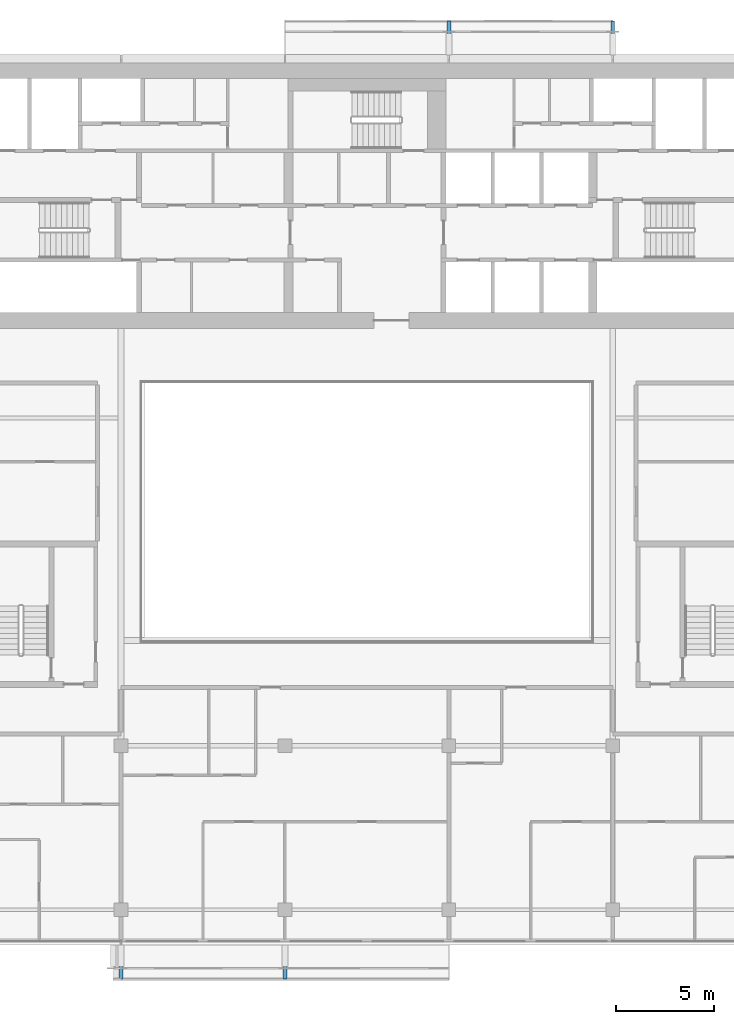
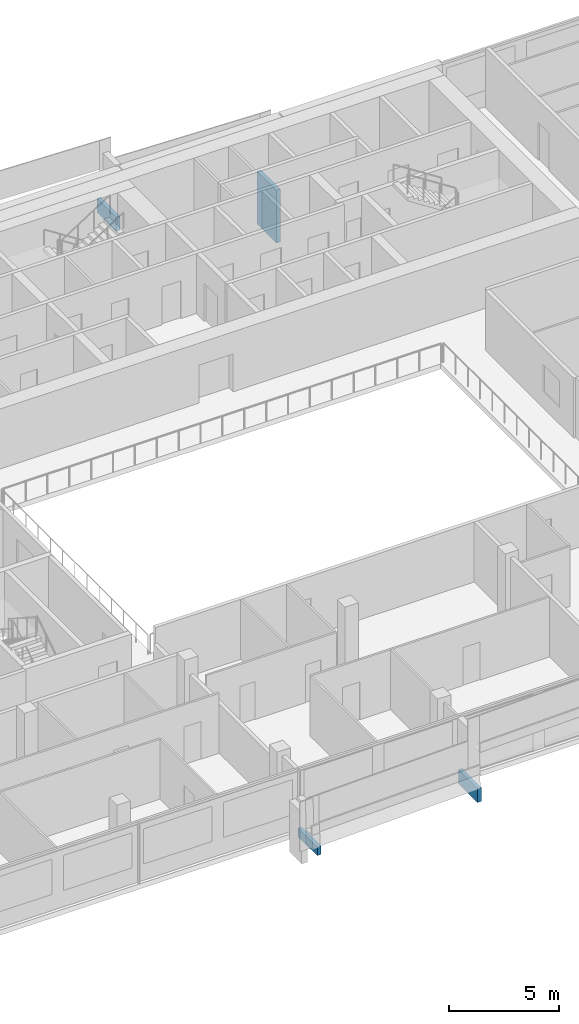
# One storey, part 25 of 27: 4 discrete accessories.
"""IFC4 building model written with IfcOpenShell, lengths in metres."""

from ifc_helpers import new_model, si_unit, direction, frame, origin, origin_2d, place, context, subcontext, project, spatial, rectangle, extrude, element, save


model = new_model("IFC4")

# Units and contexts
model_context = context("Model", 3, precision=1e-05, world=origin(), true_north=direction((0.0, 1.0)))
body_context = subcontext(model_context, "Body", "Model", "MODEL_VIEW")
ifc_project = project(units=[si_unit("LENGTHUNIT", "METRE"), si_unit("AREAUNIT", "SQUARE_METRE"), si_unit("VOLUMEUNIT", "CUBIC_METRE"), si_unit("PLANEANGLEUNIT", "RADIAN"), si_unit("MASSUNIT", "GRAM", prefix="KILO")], contexts=[model_context])

# Site, building, storey
site_placement = place(None, origin())
site = spatial("IfcSite", under=ifc_project, at=site_placement, CompositionType="ELEMENT")
building_placement = place(site_placement, origin())
building = spatial("IfcBuilding", under=site, at=building_placement, Name="Saffron Gate Tower", CompositionType="ELEMENT")
storey_placement = place(building_placement, frame((0.0, 0.0, 172.64990234375)))
storey = spatial("IfcBuildingStorey", under=building, at=storey_placement, Name="L42", CompositionType="ELEMENT", Elevation=172.64990234375)

# Discrete accessories
discrete_accessory_1_placement = place(storey_placement, frame((100.199951171875, 76.47509765625, -3.8798828125), z_axis=(0.0, 0.0, 1.0), x_axis=(-1.0, 0.0, 0.0)))
element("IfcDiscreteAccessory", 1, at=discrete_accessory_1_placement, inside=storey, Name="LEDGE rib", PredefinedType="BRACKET", context=body_context, shape_type="SweptSolid", body=[
    extrude(rectangle(XDim=0.199951171875, YDim=1.75, at=origin_2d()), origin(), (0.0, 0.0, 1.0), 2.923583984375),
])
discrete_accessory_2_placement = place(storey_placement, frame((91.800048828125, 76.47509765625, -0.27978515625), z_axis=(0.0, 0.0, 1.0), x_axis=(-1.0, 0.0, 0.0)))
element("IfcDiscreteAccessory", 2, at=discrete_accessory_2_placement, inside=storey, Name="LEDGE rib", PredefinedType="BRACKET", context=body_context, shape_type="SweptSolid", body=[
    extrude(rectangle(XDim=0.199951171875, YDim=1.75, at=origin_2d()), origin(), (0.0, 0.0, 1.0), 0.765869140625),
])
discrete_accessory_3_placement = place(storey_placement, frame((75.0, 29.125, -0.280029296875), z_axis=(0.0, 0.0, 1.0), x_axis=(1.0, 0.0, 0.0)))
element("IfcDiscreteAccessory", 3, at=discrete_accessory_3_placement, inside=storey, Name="LEDGE rib", PredefinedType="BRACKET", context=body_context, shape_type="SweptSolid", body=[
    extrude(rectangle(XDim=0.199951171875, YDim=1.75, at=origin_2d()), origin(), (0.0, 0.0, 1.0), 0.466796875),
])
discrete_accessory_4_placement = place(storey_placement, frame((83.39990234375, 29.125, -0.27978515625), z_axis=(0.0, 0.0, 1.0), x_axis=(1.0, 0.0, 0.0)))
element("IfcDiscreteAccessory", 4, at=discrete_accessory_4_placement, inside=storey, Name="LEDGE rib", PredefinedType="BRACKET", context=body_context, shape_type="SweptSolid", body=[
    extrude(rectangle(XDim=0.199951171875, YDim=1.75, at=origin_2d()), origin(), (0.0, 0.0, 1.0), 0.765869140625),
])

save(model, "model.ifc")
